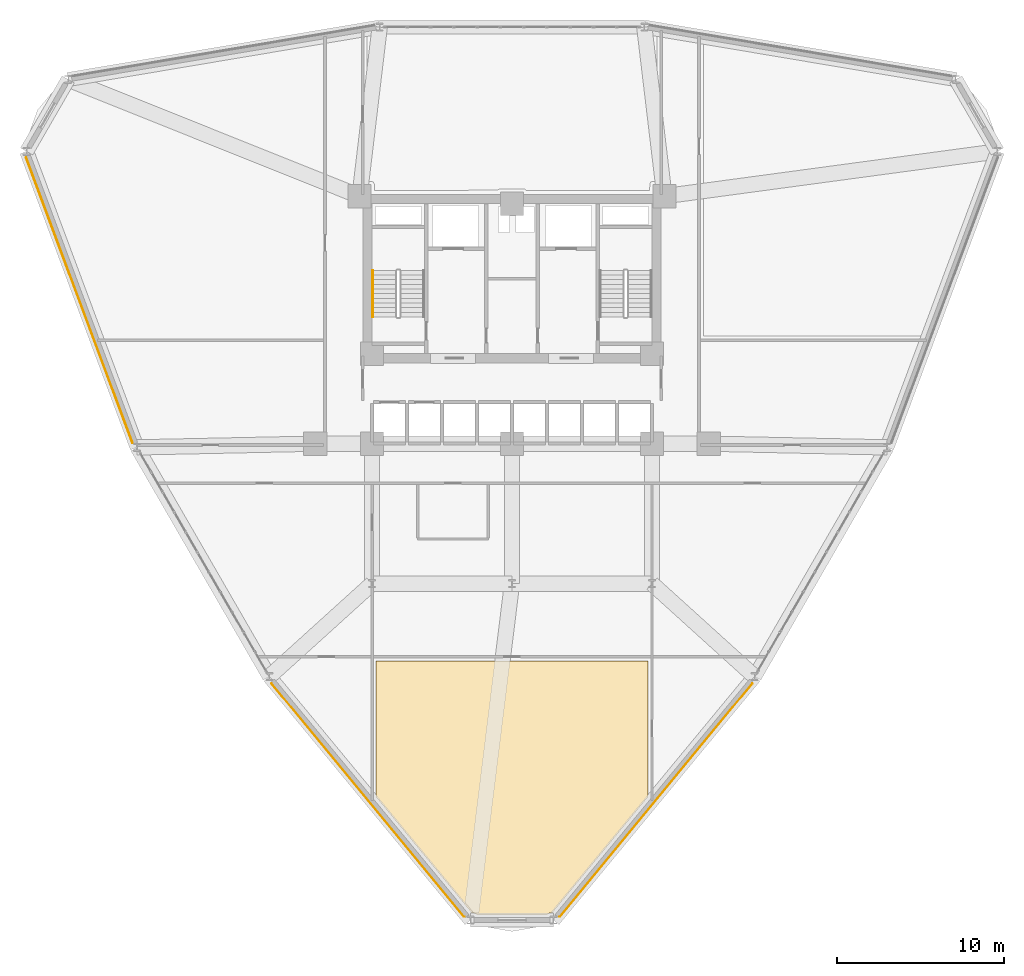
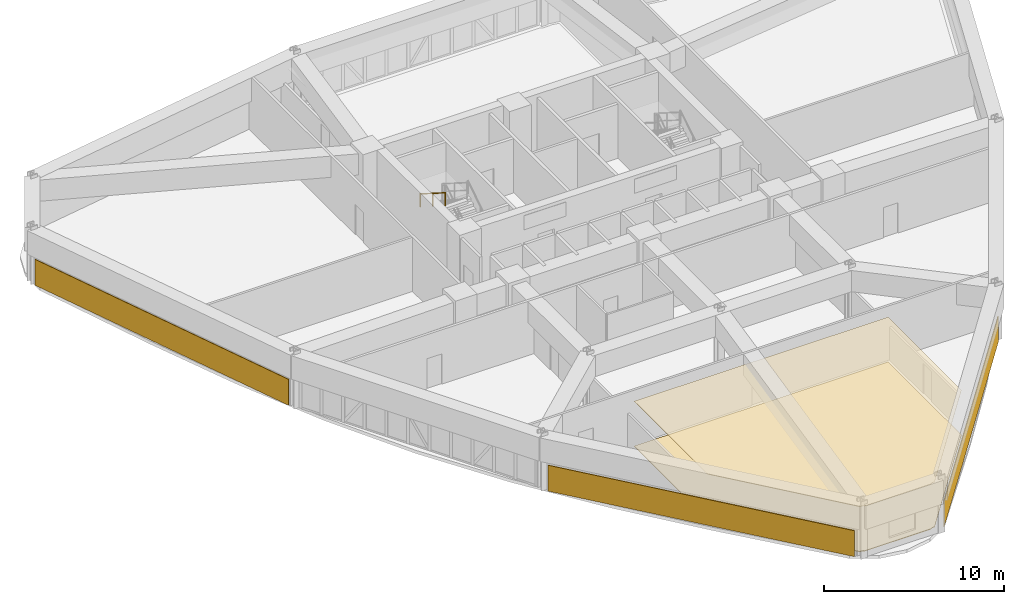
# One storey, part 18 of 20: 5 coverings, 1 railing.
"""IFC4 building model written with IfcOpenShell, lengths in metres."""

from ifc_helpers import new_model, si_unit, derived_unit, direction, frame, origin, origin_2d, place, context, subcontext, project, spatial, polyline, circle, outline, extrude, material, layer, layer_set, type_object, element, save


model = new_model("IFC4")

# Units and contexts
model_context = context("Model", 3, precision=1e-05, world=origin(), true_north=direction((0.0, 1.0)))
body_context = subcontext(model_context, "Body", "Model", "MODEL_VIEW")
ifc_project = project(units=[si_unit("LENGTHUNIT", "METRE"), si_unit("AREAUNIT", "SQUARE_METRE"), si_unit("VOLUMEUNIT", "CUBIC_METRE"), si_unit("PLANEANGLEUNIT", "RADIAN"), si_unit("MASSUNIT", "GRAM", prefix="KILO"), derived_unit("THERMALTRANSMITTANCEUNIT", [(si_unit("POWERUNIT", "WATT"), 1), (si_unit("LENGTHUNIT", "METRE"), -2), (si_unit("THERMODYNAMICTEMPERATUREUNIT", "KELVIN"), -1)])], contexts=[model_context])

# Site, building, storey
site_placement = place(None, origin())
site = spatial("IfcSite", under=ifc_project, at=site_placement, CompositionType="ELEMENT")
building_placement = place(site_placement, origin())
building = spatial("IfcBuilding", under=site, at=building_placement, Name="Korsvarv Bourse and Concert Hall", CompositionType="ELEMENT")
storey_placement = place(building_placement, frame((0.0, 0.0, 35.699951171875)))
storey = spatial("IfcBuildingStorey", under=building, at=storey_placement, Name="L08", CompositionType="ELEMENT", Elevation=35.699951171875)

# Coverings
ifc_material_1 = material(Name="Perforated mineral-wool and birch acoustic baffle ceiling", Category="wood")
ifc_layer_1 = layer(ifc_material_1, 0.02490234375)
ifc_layer_set_1 = layer_set([ifc_layer_1], Name="Perforated mineral-wool and birch acoustic baffle ceiling")
covering_type_1 = type_object("IfcCoveringType", Name="COV-CEIL-1", PredefinedType="CEILING", material=ifc_layer_set_1)
covering_1_placement = place(storey_placement, frame((0.0, 0.0, 3.06005859375)))
element("IfcCovering", 1, at=covering_1_placement, inside=storey, type_object=covering_type_1, Name="L08 acoustic baffle ceiling 2", PredefinedType="CEILING", context=body_context, shape_type="SweptSolid", body=[
    extrude(outline(polyline([(33.87060546875, 4.1513671875), (33.846923828125, 4.176025390625), (33.819091796875, 4.19580078125), (33.787841796875, 4.210205078125), (33.75439453125, 4.218017578125), (33.5986328125, 4.22607421875), (27.85009765625, 11.188232421875), (27.85009765625, 19.35009765625), (44.14990234375, 19.35009765625), (44.14990234375, 11.188232421875), (38.404541015625, 4.22998046875), (38.28076171875, 4.22998046875), (38.24609375, 4.2265625), (38.212646484375, 4.216552734375), (38.181884765625, 4.2001953125), (38.154541015625, 4.17822265625), (38.132080078125, 4.151611328125), (33.87060546875, 4.1513671875)])), origin(), (0.0, 0.0, 1.0), 0.02490234375),
])
ifc_material_2 = material(Name="Warm iron-oxide extruded terracotta rainscreen tile", Category="ceramic")
ifc_layer_2 = layer(ifc_material_2, 0.044921875)
ifc_layer_set_2 = layer_set([ifc_layer_2], Name="Warm iron-oxide extruded terracotta rainscreen tile")
covering_type_2 = type_object("IfcCoveringType", Name="COV-CLD-TC", PredefinedType="CLADDING", material=ifc_layer_set_2)
covering_2_placement = place(storey_placement, origin())
element("IfcCovering", 2, at=covering_2_placement, inside=storey, type_object=covering_type_2, Name="L08 fluted terracotta cladding panel EW-L08-B06", PredefinedType="CLADDING", context=body_context, shape_type="SweptSolid", body=[
    extrude(outline(polyline([(6.86181640625, 49.57568359375), (13.25048828125, 32.4462890625), (13.208251953125, 32.430419921875), (6.819580078125, 49.559814453125), (6.86181640625, 49.57568359375)])), origin(), (0.0, 0.0, 1.0), 1.760009765625),
])
covering_3_placement = place(storey_placement, origin())
element("IfcCovering", 3, at=covering_3_placement, inside=storey, type_object=covering_type_2, Name="L08 fluted terracotta cladding panel EW-L08-B08", PredefinedType="CLADDING", context=body_context, shape_type="SweptSolid", body=[
    extrude(outline(polyline([(21.5830078125, 18.032470703125), (33.15234375, 4.0205078125), (33.11767578125, 3.991943359375), (21.548095703125, 18.003662109375), (21.5830078125, 18.032470703125)])), origin(), (0.0, 0.0, 1.0), 1.760009765625),
])
covering_4_placement = place(storey_placement, origin())
element("IfcCovering", 4, at=covering_4_placement, inside=storey, type_object=covering_type_2, Name="L08 fluted terracotta cladding panel EW-L08-B10", PredefinedType="CLADDING", context=body_context, shape_type="SweptSolid", body=[
    extrude(outline(polyline([(38.84765625, 4.0205078125), (50.4169921875, 18.032470703125), (50.451904296875, 18.003662109375), (38.88232421875, 3.991943359375), (38.84765625, 4.0205078125)])), origin(), (0.0, 0.0, 1.0), 1.760009765625),
])
ifc_material_3 = material(Name="Calcium-sulphate raised access trading floor with Nordic oak top", Category="wood")
ifc_layer_3 = layer(ifc_material_3, 0.0400390625)
ifc_layer_set_3 = layer_set([ifc_layer_3], Name="Calcium-sulphate raised access trading floor with Nordic oak top")
covering_type_3 = type_object("IfcCoveringType", Name="COV-FLOR-1", PredefinedType="FLOORING", material=ifc_layer_set_3)
covering_5_placement = place(storey_placement, origin())
element("IfcCovering", 5, at=covering_5_placement, inside=storey, type_object=covering_type_3, Name="L08 raised access oak floor finish 2", PredefinedType="FLOORING", context=body_context, shape_type="SweptSolid", body=[
    extrude(outline(polyline([(33.87060546875, 4.1513671875), (33.846923828125, 4.176025390625), (33.819091796875, 4.19580078125), (33.787841796875, 4.210205078125), (33.75439453125, 4.218017578125), (33.5986328125, 4.22607421875), (27.85009765625, 11.188232421875), (27.85009765625, 19.35009765625), (44.14990234375, 19.35009765625), (44.14990234375, 11.188232421875), (38.404541015625, 4.22998046875), (38.28076171875, 4.22998046875), (38.24609375, 4.2265625), (38.212646484375, 4.216552734375), (38.181884765625, 4.2001953125), (38.154541015625, 4.17822265625), (38.132080078125, 4.151611328125), (33.87060546875, 4.1513671875)])), origin(), (0.0, 0.0, 1.0), 0.0400390625),
])

# Railing
ifc_material_4 = material(Name="Brushed stainless Steel S355 tubular handrail", Category="steel")
railing_type = type_object("IfcRailingType", Name="RL-ST-HND", PredefinedType="HANDRAIL", material=ifc_material_4)
railing_placement = place(storey_placement, frame((27.64990234375, 42.800048828125, 2.12744140625)))
element("IfcRailing", 6, at=railing_placement, inside=storey, type_object=railing_type, Name="L08 ST-T1 stair handrail 2", PredefinedType="HANDRAIL", context=body_context, shape_type="SweptSolid", body=[
    extrude(circle(Radius=0.02392578125, at=origin_2d()), frame((0.0, 0.0, 0.8759765625), z_axis=(0.0, -0.844908973607, 0.534910110503), x_axis=(1.0, 0.0, 0.0)), (0.0, 0.0, 1.0), 3.31396484375),
    extrude(circle(Radius=0.02099609375, at=origin_2d()), origin(), (0.0, 0.0, 1.0), 0.851806640625),
    extrude(circle(Radius=0.02099609375, at=origin_2d()), frame((0.0, -1.39990234375, 0.88623046875)), (0.0, 0.0, 1.0), 0.851806640625),
    extrude(circle(Radius=0.02099609375, at=origin_2d()), frame((0.0, -2.800048828125, 1.772705078125)), (0.0, 0.0, 1.0), 0.851806640625),
])

save(model, "model.ifc")
